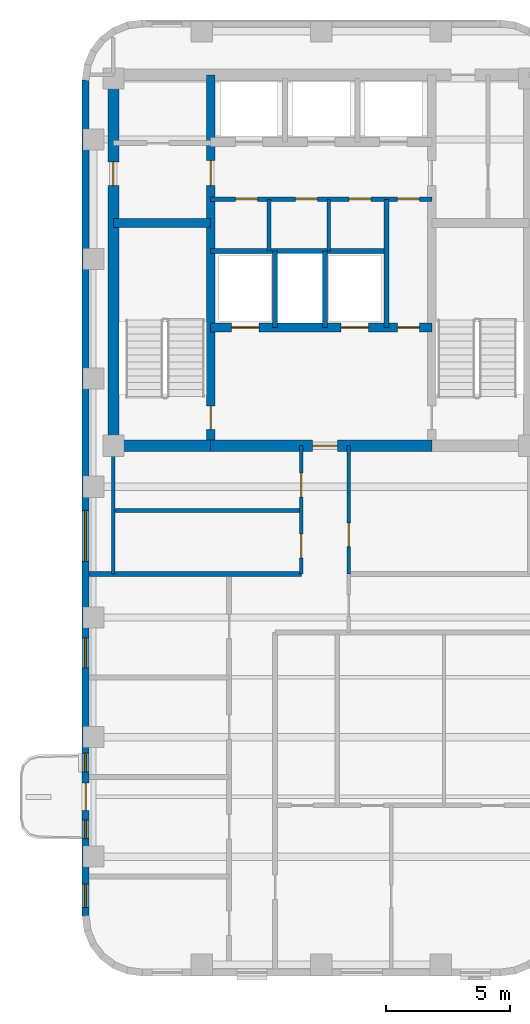
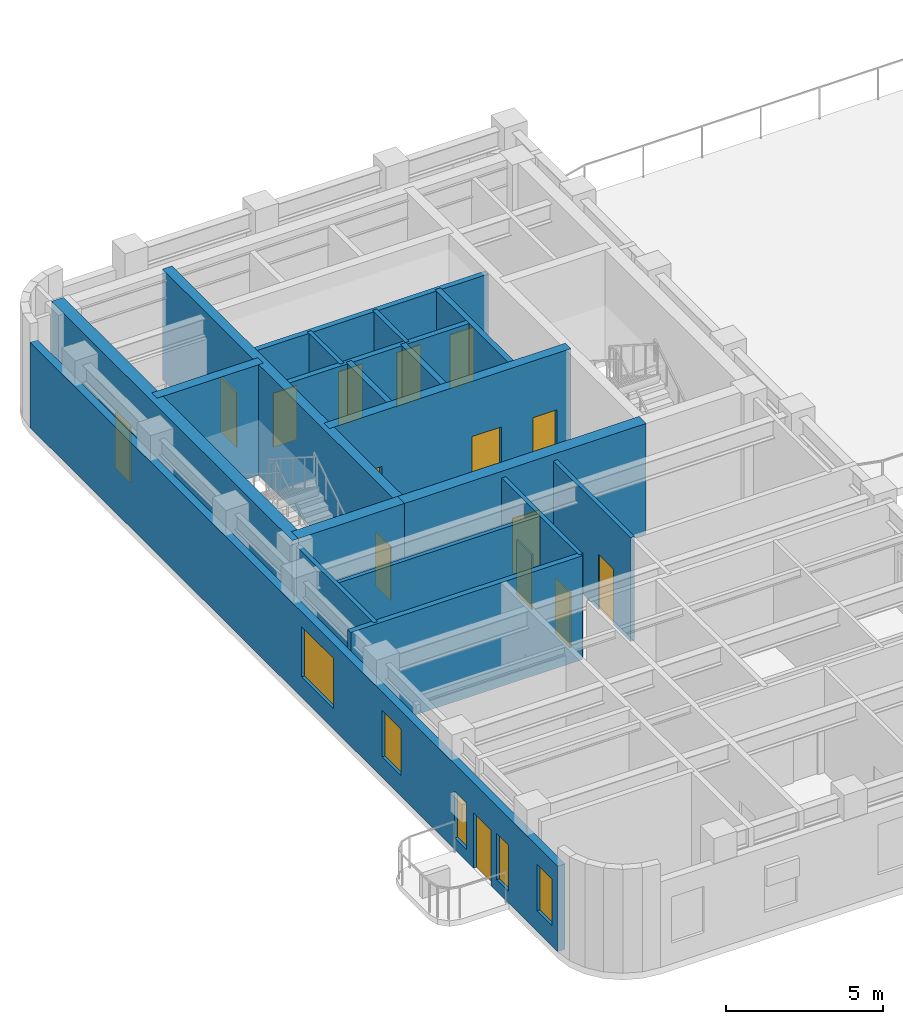
# One storey, part 3 of 7: 19 walls, 15 doors, 5 windows, 20 openings.
"""IFC4 building model written with IfcOpenShell, lengths in metres."""

from ifc_helpers import new_model, si_unit, direction, frame, frame_2d, origin, place, context, subcontext, project, spatial, rectangle, extrude, material, layer, layer_set, type_object, element, fill, save


model = new_model("IFC4")

# Units and contexts
model_context = context("Model", 3, precision=1e-05, world=origin(), true_north=direction((0.0, 1.0)))
body_context = subcontext(model_context, "Body", "Model", "MODEL_VIEW")
ifc_project = project(units=[si_unit("LENGTHUNIT", "METRE"), si_unit("AREAUNIT", "SQUARE_METRE"), si_unit("VOLUMEUNIT", "CUBIC_METRE"), si_unit("PLANEANGLEUNIT", "RADIAN"), si_unit("MASSUNIT", "GRAM", prefix="KILO")], contexts=[model_context])

# Site, building, storey
site_placement = place(None, origin())
site = spatial("IfcSite", under=ifc_project, at=site_placement, CompositionType="ELEMENT")
building_placement = place(site_placement, origin())
building = spatial("IfcBuilding", under=site, at=building_placement, Name="Orvandelia Arch Residences", CompositionType="ELEMENT")
storey_placement = place(building_placement, frame((0.0, 0.0, 239.800048828125)))
storey = spatial("IfcBuildingStorey", under=building, at=storey_placement, Name="L63", CompositionType="ELEMENT", Elevation=239.800048828125)

# Wall, openings, doors
ifc_material_1 = material(Name="Concrete C50/60", Category="concrete")
ifc_layer_1 = layer(ifc_material_1, 0.35009765625, Name="Concrete C50/60", Category="concrete")
ifc_layer_set_1 = layer_set([ifc_layer_1], Name="Concrete C50/60")
wall_type_1 = type_object("IfcWallType", Name="WL-CORE-350", PredefinedType="SHEAR", material=ifc_layer_set_1)
wall_1_placement = place(storey_placement, frame((9.9599609375, 30.89990234375, 0.0), z_axis=(0.0, 0.0, 1.0), x_axis=(0.0, 1.0, 0.0)))
wall_1 = element("IfcWall", 1, at=wall_1_placement, inside=storey, type_object=wall_type_1, Name="Core Shear Wall L63-WEB1", PredefinedType="SHEAR", context=body_context, shape_type="SweptSolid", body=[
    extrude(rectangle(XDim=14.900146484375, YDim=0.35009765625, at=frame_2d((7.4501953125, 0.0))), origin(), (0.0, 0.0, 1.0), 4.300048828125),
])
opening_1_placement = place(wall_1_placement, frame((0.64990234375, 0.0, 0.0)))
opening_1 = element("IfcOpeningElement", 2, at=opening_1_placement, cuts=wall_1, Name="Opening D7", PredefinedType="OPENING", context=body_context, shape_type="SweptSolid", body=[
    extrude(rectangle(XDim=0.949951171875, YDim=2.10009765625, at=frame_2d((0.47509765625, 1.050048828125))), frame((0.0, 0.18505859375, 0.0), z_axis=(0.0, -1.0, 0.0), x_axis=(1.0, 0.0, 0.0)), (0.0, 0.0, 1.0), 0.3701171875),
])
opening_2_placement = place(wall_1_placement, frame((10.449951171875, 0.0, 0.0)))
opening_2 = element("IfcOpeningElement", 3, at=opening_2_placement, cuts=wall_1, Name="Opening D6", PredefinedType="OPENING", context=body_context, shape_type="SweptSolid", body=[
    extrude(rectangle(XDim=1.0, YDim=2.14990234375, at=frame_2d((0.5, 1.074951171875))), frame((0.0, 0.18505859375, 0.0), z_axis=(0.0, -1.0, 0.0), x_axis=(1.0, 0.0, 0.0)), (0.0, 0.0, 1.0), 0.3701171875),
])
ifc_material_2 = material(Name="Smokeproof Painted Steel Fire Door", Category="steel")
door_type_1 = type_object("IfcDoorType", Name="DR-FD60-1000", OperationType="NOTDEFINED", PredefinedType="DOOR", material=ifc_material_2)
door_1_placement = place(opening_2_placement, origin())
door_1 = element("IfcDoor", 4, at=door_1_placement, inside=storey, type_object=door_type_1, Name="High-Rise Lift Hall West Vestibule Door L63", OperationType="SINGLE_SWING_LEFT", OverallHeight=2.14990234375, OverallWidth=1.0, PredefinedType="DOOR", context=body_context, shape_type="SweptSolid", body=[
    extrude(rectangle(XDim=1.0, YDim=2.14990234375, at=frame_2d((0.5, 1.074951171875))), frame((0.0, 0.02490234375, 0.0), z_axis=(0.0, -1.0, 0.0), x_axis=(1.0, 0.0, 0.0)), (0.0, 0.0, 1.0), 0.050048828125),
])
fill(opening_2, door_1)
ifc_material_3 = material(Name="Pressurised Stairwell Fire Door")
door_type_2 = type_object("IfcDoorType", Name="DR-STAIR-950", OperationType="NOTDEFINED", PredefinedType="DOOR", material=ifc_material_3)
door_2_placement = place(opening_1_placement, origin())
door_2 = element("IfcDoor", 5, at=door_2_placement, inside=storey, type_object=door_type_2, Name="Stairwell ST-1 Fire Door L63", OperationType="SINGLE_SWING_LEFT", OverallHeight=2.10009765625, OverallWidth=0.949951171875, PredefinedType="DOOR", context=body_context, shape_type="SweptSolid", body=[
    extrude(rectangle(XDim=0.949951171875, YDim=2.10009765625, at=frame_2d((0.47509765625, 1.050048828125))), frame((0.0, 0.02490234375, 0.0), z_axis=(0.0, -1.0, 0.0), x_axis=(1.0, 0.0, 0.0)), (0.0, 0.0, 1.0), 0.050048828125),
])
fill(opening_1, door_2)

# Wall
wall_2_placement = place(storey_placement, frame((6.050048828125, 39.85009765625, 0.0), z_axis=(0.0, 0.0, 1.0), x_axis=(1.0, 0.0, 0.0)))
element("IfcWall", 6, at=wall_2_placement, inside=storey, type_object=wall_type_1, Name="Core Shear Wall L63-HZ1", PredefinedType="SHEAR", context=body_context, shape_type="SweptSolid", body=[
    extrude(rectangle(XDim=3.909912109375, YDim=0.35009765625, at=frame_2d((1.955078125, 0.0))), origin(), (0.0, 0.0, 1.0), 4.300048828125),
])

# Wall, openings, doors
wall_3_placement = place(storey_placement, frame((9.9599609375, 35.64990234375, 0.0), z_axis=(0.0, 0.0, 1.0), x_axis=(1.0, 0.0, 0.0)))
wall_3 = element("IfcWall", 7, at=wall_3_placement, inside=storey, type_object=wall_type_1, Name="Core Shear Wall L63-HZ3", PredefinedType="SHEAR", context=body_context, shape_type="SweptSolid", body=[
    extrude(rectangle(XDim=8.880126953125, YDim=0.35009765625, at=frame_2d((4.43994140625, 0.0))), origin(), (0.0, 0.0, 1.0), 4.300048828125),
])
opening_3_placement = place(wall_3_placement, frame((0.840087890625, 0.0, 0.0)))
opening_3 = element("IfcOpeningElement", 8, at=opening_3_placement, cuts=wall_3, Name="Opening FLD", PredefinedType="OPENING", context=body_context, shape_type="SweptSolid", body=[
    extrude(rectangle(XDim=1.10009765625, YDim=2.14990234375, at=frame_2d((0.550048828125, 1.074951171875))), frame((0.0, 0.18505859375, 0.0), z_axis=(0.0, -1.0, 0.0), x_axis=(1.0, 0.0, 0.0)), (0.0, 0.0, 1.0), 0.3701171875),
])
opening_4_placement = place(wall_3_placement, frame((5.239990234375, 0.0, 0.0)))
opening_4 = element("IfcOpeningElement", 9, at=opening_4_placement, cuts=wall_3, Name="Opening FLD", PredefinedType="OPENING", context=body_context, shape_type="SweptSolid", body=[
    extrude(rectangle(XDim=1.10009765625, YDim=2.14990234375, at=frame_2d((0.550048828125, 1.074951171875))), frame((0.0, 0.18505859375, 0.0), z_axis=(0.0, -1.0, 0.0), x_axis=(1.0, 0.0, 0.0)), (0.0, 0.0, 1.0), 0.3701171875),
])
opening_5_placement = place(wall_3_placement, frame((7.5, 0.0, 0.0)))
opening_5 = element("IfcOpeningElement", 10, at=opening_5_placement, cuts=wall_3, Name="Opening D5", PredefinedType="OPENING", context=body_context, shape_type="SweptSolid", body=[
    extrude(rectangle(XDim=0.8798828125, YDim=2.10009765625, at=frame_2d((0.43994140625, 1.050048828125))), frame((0.0, 0.18505859375, 0.0), z_axis=(0.0, -1.0, 0.0), x_axis=(1.0, 0.0, 0.0)), (0.0, 0.0, 1.0), 0.3701171875),
])
ifc_material_4 = material(Name="Firefighting Lift Stainless Sliding Door")
door_type_3 = type_object("IfcDoorType", Name="DR-FLFT-1100", OperationType="NOTDEFINED", PredefinedType="DOOR", material=ifc_material_4)
door_3_placement = place(opening_3_placement, origin())
door_3 = element("IfcDoor", 11, at=door_3_placement, inside=storey, type_object=door_type_3, Name="Firefighting Lift Landing Door FLD-FL1-L63", OperationType="SLIDING_TO_LEFT", OverallHeight=2.14990234375, OverallWidth=1.10009765625, PredefinedType="DOOR", context=body_context, shape_type="SweptSolid", body=[
    extrude(rectangle(XDim=1.10009765625, YDim=2.14990234375, at=frame_2d((0.550048828125, 1.074951171875))), frame((0.0, 0.02490234375, 0.0), z_axis=(0.0, -1.0, 0.0), x_axis=(1.0, 0.0, 0.0)), (0.0, 0.0, 1.0), 0.050048828125),
])
fill(opening_3, door_3)
door_4_placement = place(opening_4_placement, origin())
door_4 = element("IfcDoor", 12, at=door_4_placement, inside=storey, type_object=door_type_3, Name="Firefighting Lift Landing Door FLD-FL2-L63", OperationType="SLIDING_TO_RIGHT", OverallHeight=2.14990234375, OverallWidth=1.10009765625, PredefinedType="DOOR", context=body_context, shape_type="SweptSolid", body=[
    extrude(rectangle(XDim=1.10009765625, YDim=2.14990234375, at=frame_2d((0.550048828125, 1.074951171875))), frame((0.0, 0.02490234375, 0.0), z_axis=(0.0, -1.0, 0.0), x_axis=(1.0, 0.0, 0.0)), (0.0, 0.0, 1.0), 0.050048828125),
])
fill(opening_4, door_4)
ifc_material_5 = material(Name="Painted Galvanised Steel Service Door", Category="steel")
door_type_4 = type_object("IfcDoorType", Name="DR-SRV-880", OperationType="NOTDEFINED", PredefinedType="DOOR", material=ifc_material_5)
door_5_placement = place(opening_5_placement, origin())
door_5 = element("IfcDoor", 13, at=door_5_placement, inside=storey, type_object=door_type_4, Name="Core Stairway Passage South Fire Door L63", OperationType="SINGLE_SWING_LEFT", OverallHeight=2.10009765625, OverallWidth=0.8798828125, PredefinedType="DOOR", context=body_context, shape_type="SweptSolid", body=[
    extrude(rectangle(XDim=0.8798828125, YDim=2.10009765625, at=frame_2d((0.43994140625, 1.050048828125))), frame((0.0, 0.02490234375, 0.0), z_axis=(0.0, -1.0, 0.0), x_axis=(1.0, 0.0, 0.0)), (0.0, 0.0, 1.0), 0.050048828125),
])
fill(opening_5, door_5)

# Wall, opening, door
ifc_layer_2 = layer(ifc_material_1, 0.449951171875, Name="Concrete C50/60", Category="concrete")
ifc_layer_set_2 = layer_set([ifc_layer_2], Name="Concrete C50/60")
wall_type_2 = type_object("IfcWallType", Name="WL-CORE-450", PredefinedType="SHEAR", material=ifc_layer_set_2)
wall_4_placement = place(storey_placement, frame((6.050048828125, 30.675048828125, 0.0), z_axis=(0.0, 0.0, 1.0), x_axis=(0.0, 1.0, 0.0)))
wall_4 = element("IfcWall", 14, at=wall_4_placement, inside=storey, type_object=wall_type_2, Name="Core Shear Wall L63-W", PredefinedType="SHEAR", context=body_context, shape_type="SweptSolid", body=[
    extrude(rectangle(XDim=15.349853515625, YDim=0.449951171875, at=frame_2d((7.6748046875, 0.0))), origin(), (0.0, 0.0, 1.0), 4.300048828125),
])
opening_6_placement = place(wall_4_placement, frame((10.675048828125, 0.0, 0.0)))
opening_6 = element("IfcOpeningElement", 15, at=opening_6_placement, cuts=wall_4, Name="Opening D2", PredefinedType="OPENING", context=body_context, shape_type="SweptSolid", body=[
    extrude(rectangle(XDim=0.949951171875, YDim=2.14990234375, at=frame_2d((0.47509765625, 1.074951171875))), frame((0.0, 0.23486328125, 0.0), z_axis=(0.0, -1.0, 0.0), x_axis=(1.0, 0.0, 0.0)), (0.0, 0.0, 1.0), 0.469970703125),
])
ifc_material_6 = material(Name="Solid-Core Timber Interior Fire Door", Category="wood")
door_type_5 = type_object("IfcDoorType", Name="DR-APT-950", OperationType="NOTDEFINED", PredefinedType="DOOR", material=ifc_material_6)
door_6_placement = place(opening_6_placement, origin())
door_6 = element("IfcDoor", 16, at=door_6_placement, inside=storey, type_object=door_type_5, Name="West Viewing Study Door L63", OperationType="SINGLE_SWING_RIGHT", OverallHeight=2.14990234375, OverallWidth=0.949951171875, PredefinedType="DOOR", context=body_context, shape_type="SweptSolid", body=[
    extrude(rectangle(XDim=0.949951171875, YDim=2.14990234375, at=frame_2d((0.47509765625, 1.074951171875))), frame((0.0, 0.02490234375, 0.0), z_axis=(0.0, -1.0, 0.0), x_axis=(1.0, 0.0, 0.0)), (0.0, 0.0, 1.0), 0.050048828125),
])
fill(opening_6, door_6)

# Wall
wall_5_placement = place(storey_placement, frame((6.050048828125, 30.89990234375, 0.0), z_axis=(0.0, 0.0, 1.0), x_axis=(1.0, 0.0, 0.0)))
element("IfcWall", 17, at=wall_5_placement, inside=storey, type_object=wall_type_2, Name="Core Shear Wall L63-SW", PredefinedType="SHEAR", context=body_context, shape_type="SweptSolid", body=[
    extrude(rectangle(XDim=3.909912109375, YDim=0.449951171875, at=frame_2d((1.955078125, 0.0))), origin(), (0.0, 0.0, 1.0), 4.300048828125),
])

# Wall, opening, door
wall_6_placement = place(storey_placement, frame((9.9599609375, 30.89990234375, 0.0), z_axis=(0.0, 0.0, 1.0), x_axis=(1.0, 0.0, 0.0)))
wall_6 = element("IfcWall", 18, at=wall_6_placement, inside=storey, type_object=wall_type_2, Name="Core Shear Wall L63-SM", PredefinedType="SHEAR", context=body_context, shape_type="SweptSolid", body=[
    extrude(rectangle(XDim=8.880126953125, YDim=0.449951171875, at=frame_2d((4.43994140625, 0.0))), origin(), (0.0, 0.0, 1.0), 4.300048828125),
])
opening_7_placement = place(wall_6_placement, frame((4.090087890625, 0.0, 0.0)))
opening_7 = element("IfcOpeningElement", 19, at=opening_7_placement, cuts=wall_6, Name="Opening D6", PredefinedType="OPENING", context=body_context, shape_type="SweptSolid", body=[
    extrude(rectangle(XDim=1.0, YDim=2.14990234375, at=frame_2d((0.5, 1.074951171875))), frame((0.0, 0.23486328125, 0.0), z_axis=(0.0, -1.0, 0.0), x_axis=(1.0, 0.0, 0.0)), (0.0, 0.0, 1.0), 0.469970703125),
])
door_7_placement = place(opening_7_placement, origin())
door_7 = element("IfcDoor", 20, at=door_7_placement, inside=storey, type_object=door_type_1, Name="Firefighting Lobby Smokeproof Door L63", OperationType="SINGLE_SWING_LEFT", OverallHeight=2.14990234375, OverallWidth=1.0, PredefinedType="DOOR", context=body_context, shape_type="SweptSolid", body=[
    extrude(rectangle(XDim=1.0, YDim=2.14990234375, at=frame_2d((0.5, 1.074951171875))), frame((0.0, 0.02490234375, 0.0), z_axis=(0.0, -1.0, 0.0), x_axis=(1.0, 0.0, 0.0)), (0.0, 0.0, 1.0), 0.050048828125),
])
fill(opening_7, door_7)

# Wall
ifc_material_7 = material(Name="Fire-Rated Corridor Partition")
ifc_layer_3 = layer(ifc_material_7, 0.199951171875, Name="Fire-Rated Corridor Partition")
ifc_layer_set_3 = layer_set([ifc_layer_3], Name="Fire-Rated Corridor Partition")
wall_type_3 = type_object("IfcWallType", Name="WL-CORR-200", PredefinedType="PARTITIONING", material=ifc_layer_set_3)
wall_7_placement = place(storey_placement, frame((5.080078125, 25.75, 0.0), z_axis=(0.0, 0.0, 1.0), x_axis=(1.0, 0.0, 0.0)))
element("IfcWall", 21, at=wall_7_placement, inside=storey, type_object=wall_type_3, Name="Interior Partition Wall WL-L63-WLNK-N", PredefinedType="PARTITIONING", context=body_context, shape_type="SweptSolid", body=[
    extrude(rectangle(XDim=8.52001953125, YDim=0.199951171875, at=frame_2d((4.260009765625, 0.0))), origin(), (0.0, 0.0, 1.0), 4.0400390625),
])

# Wall, openings, door, windows
ifc_material_8 = material(Name="Precast concrete C40/50", Category="concrete")
ifc_layer_4 = layer(ifc_material_8, 0.280029296875, Name="Precast concrete C40/50", Category="concrete")
ifc_layer_set_4 = layer_set([ifc_layer_4], Name="Precast concrete C40/50")
wall_type_4 = type_object("IfcWallType", Name="WL-EXT-STONE-280", PredefinedType="STANDARD", material=ifc_layer_set_4)
wall_8_placement = place(storey_placement, frame((4.93994140625, 12.0, 0.0), z_axis=(0.0, 0.0, 1.0), x_axis=(0.0, 1.0, 0.0)))
wall_8 = element("IfcWall", 22, at=wall_8_placement, inside=storey, type_object=wall_type_4, Name="Coral-Limestone Precast Facade Wall L63-028", PredefinedType="STANDARD", context=body_context, shape_type="SweptSolid", body=[
    extrude(rectangle(XDim=33.60009765625, YDim=0.280029296875, at=frame_2d((16.800048828125, 0.0))), origin(), (0.0, 0.0, 1.0), 3.320068359375),
])
opening_8_placement = place(wall_8_placement, frame((4.25, 0.0, 0.0)))
opening_8 = element("IfcOpeningElement", 23, at=opening_8_placement, cuts=wall_8, Name="Opening BD1", PredefinedType="OPENING", context=body_context, shape_type="SweptSolid", body=[
    extrude(rectangle(XDim=1.10009765625, YDim=2.14990234375, at=frame_2d((0.550048828125, 1.074951171875))), frame((0.0, 0.14990234375, 0.0), z_axis=(0.0, -1.0, 0.0), x_axis=(1.0, 0.0, 0.0)), (0.0, 0.0, 1.0), 0.300048828125),
])
opening_9_placement = place(wall_8_placement, frame((0.35498046875, 0.0, 0.800048828125)))
opening_9 = element("IfcOpeningElement", 24, at=opening_9_placement, cuts=wall_8, Name="Opening W4", PredefinedType="OPENING", context=body_context, shape_type="SweptSolid", body=[
    extrude(rectangle(XDim=0.949951171875, YDim=1.800048828125, at=frame_2d((0.47509765625, 0.89990234375))), frame((0.0, 0.14990234375, 0.0), z_axis=(0.0, -1.0, 0.0), x_axis=(1.0, 0.0, 0.0)), (0.0, 0.0, 1.0), 0.300048828125),
])
opening_10_placement = place(wall_8_placement, frame((3.12255859375, 0.0, 0.449951171875)))
opening_10 = element("IfcOpeningElement", 25, at=opening_10_placement, cuts=wall_8, Name="Opening W11", PredefinedType="OPENING", context=body_context, shape_type="SweptSolid", body=[
    extrude(rectangle(XDim=0.75, YDim=1.800048828125, at=frame_2d((0.375, 0.89990234375))), frame((0.0, 0.14990234375, 0.0), z_axis=(0.0, -1.0, 0.0), x_axis=(1.0, 0.0, 0.0)), (0.0, 0.0, 1.0), 0.300048828125),
])
opening_11_placement = place(wall_8_placement, frame((5.802490234375, 0.0, 0.449951171875)))
opening_11 = element("IfcOpeningElement", 26, at=opening_11_placement, cuts=wall_8, Name="Opening W11", PredefinedType="OPENING", context=body_context, shape_type="SweptSolid", body=[
    extrude(rectangle(XDim=0.75, YDim=1.800048828125, at=frame_2d((0.375, 0.89990234375))), frame((0.0, 0.14990234375, 0.0), z_axis=(0.0, -1.0, 0.0), x_axis=(1.0, 0.0, 0.0)), (0.0, 0.0, 1.0), 0.300048828125),
])
opening_12_placement = place(wall_8_placement, frame((9.9775390625, 0.0, 0.800048828125)))
opening_12 = element("IfcOpeningElement", 27, at=opening_12_placement, cuts=wall_8, Name="Opening W3", PredefinedType="OPENING", context=body_context, shape_type="SweptSolid", body=[
    extrude(rectangle(XDim=1.199951171875, YDim=1.800048828125, at=frame_2d((0.60009765625, 0.89990234375))), frame((0.0, 0.14990234375, 0.0), z_axis=(0.0, -1.0, 0.0), x_axis=(1.0, 0.0, 0.0)), (0.0, 0.0, 1.0), 0.300048828125),
])
opening_13_placement = place(wall_8_placement, frame((14.257568359375, 0.0, 0.800048828125)))
opening_13 = element("IfcOpeningElement", 28, at=opening_13_placement, cuts=wall_8, Name="Opening W8", PredefinedType="OPENING", context=body_context, shape_type="SweptSolid", body=[
    extrude(rectangle(XDim=2.050048828125, YDim=1.949951171875, at=frame_2d((1.02490234375, 0.97509765625))), frame((0.0, 0.14990234375, 0.0), z_axis=(0.0, -1.0, 0.0), x_axis=(1.0, 0.0, 0.0)), (0.0, 0.0, 1.0), 0.300048828125),
])
ifc_material_9 = material(Name="Thermally Broken Aluminium Glazed Door", Category="aluminium")
door_type_6 = type_object("IfcDoorType", Name="DR-BAL-GLAZ-1100", OperationType="NOTDEFINED", PredefinedType="DOOR", material=ifc_material_9)
door_8_placement = place(opening_8_placement, origin())
door_8 = element("IfcDoor", 29, at=door_8_placement, inside=storey, type_object=door_type_6, Name="Tree Balcony Glazed Door BAL-L63-W1", OperationType="SINGLE_SWING_RIGHT", OverallHeight=2.14990234375, OverallWidth=1.10009765625, PredefinedType="DOOR", context=body_context, shape_type="SweptSolid", body=[
    extrude(rectangle(XDim=1.10009765625, YDim=2.14990234375, at=frame_2d((0.550048828125, 1.074951171875))), frame((0.0, 0.02490234375, 0.0), z_axis=(0.0, -1.0, 0.0), x_axis=(1.0, 0.0, 0.0)), (0.0, 0.0, 1.0), 0.050048828125),
])
fill(opening_8, door_8)
ifc_material_10 = material(Name="Tempered Low-E Insulated Glazing", Category="glass")
window_type_1 = type_object("IfcWindowType", Name="WIN-BED-0750x1800", PartitioningType="SINGLE_PANEL", PredefinedType="WINDOW", material=ifc_material_10)
window_1_placement = place(opening_10_placement, origin())
window_1 = element("IfcWindow", 30, at=window_1_placement, inside=storey, type_object=window_type_1, Name="Recessed Punched Window L63-011", OverallHeight=1.800048828125, OverallWidth=0.75, PartitioningType="SINGLE_PANEL", PredefinedType="WINDOW", context=body_context, shape_type="SweptSolid", body=[
    extrude(rectangle(XDim=0.75, YDim=1.800048828125, at=frame_2d((0.375, 0.89990234375))), frame((0.0, 0.030029296875, 0.0), z_axis=(0.0, -1.0, 0.0), x_axis=(1.0, 0.0, 0.0)), (0.0, 0.0, 1.0), 0.06005859375),
])
fill(opening_10, window_1)
window_2_placement = place(opening_11_placement, origin())
window_2 = element("IfcWindow", 31, at=window_2_placement, inside=storey, type_object=window_type_1, Name="Recessed Punched Window L63-012", OverallHeight=1.800048828125, OverallWidth=0.75, PartitioningType="SINGLE_PANEL", PredefinedType="WINDOW", context=body_context, shape_type="SweptSolid", body=[
    extrude(rectangle(XDim=0.75, YDim=1.800048828125, at=frame_2d((0.375, 0.89990234375))), frame((0.0, 0.030029296875, 0.0), z_axis=(0.0, -1.0, 0.0), x_axis=(1.0, 0.0, 0.0)), (0.0, 0.0, 1.0), 0.06005859375),
])
fill(opening_11, window_2)
window_type_2 = type_object("IfcWindowType", Name="WIN-RES-0950x1800", PartitioningType="SINGLE_PANEL", PredefinedType="WINDOW", material=ifc_material_10)
window_3_placement = place(opening_9_placement, origin())
window_3 = element("IfcWindow", 32, at=window_3_placement, inside=storey, type_object=window_type_2, Name="Recessed Punched Window L63-010", OverallHeight=1.800048828125, OverallWidth=0.949951171875, PartitioningType="SINGLE_PANEL", PredefinedType="WINDOW", context=body_context, shape_type="SweptSolid", body=[
    extrude(rectangle(XDim=0.949951171875, YDim=1.800048828125, at=frame_2d((0.47509765625, 0.89990234375))), frame((0.0, 0.030029296875, 0.0), z_axis=(0.0, -1.0, 0.0), x_axis=(1.0, 0.0, 0.0)), (0.0, 0.0, 1.0), 0.06005859375),
])
fill(opening_9, window_3)
window_type_3 = type_object("IfcWindowType", Name="WIN-RES-1200x1800", PartitioningType="SINGLE_PANEL", PredefinedType="WINDOW", material=ifc_material_10)
window_4_placement = place(opening_12_placement, origin())
window_4 = element("IfcWindow", 33, at=window_4_placement, inside=storey, type_object=window_type_3, Name="Recessed Punched Window L63-013", OverallHeight=1.800048828125, OverallWidth=1.199951171875, PartitioningType="SINGLE_PANEL", PredefinedType="WINDOW", context=body_context, shape_type="SweptSolid", body=[
    extrude(rectangle(XDim=1.199951171875, YDim=1.800048828125, at=frame_2d((0.60009765625, 0.89990234375))), frame((0.0, 0.030029296875, 0.0), z_axis=(0.0, -1.0, 0.0), x_axis=(1.0, 0.0, 0.0)), (0.0, 0.0, 1.0), 0.06005859375),
])
fill(opening_12, window_4)
window_type_4 = type_object("IfcWindowType", Name="WIN-UPP-2050x1950", PartitioningType="SINGLE_PANEL", PredefinedType="WINDOW", material=ifc_material_10)
window_5_placement = place(opening_13_placement, origin())
window_5 = element("IfcWindow", 34, at=window_5_placement, inside=storey, type_object=window_type_4, Name="Recessed Punched Window L63-014", OverallHeight=1.949951171875, OverallWidth=2.050048828125, PartitioningType="SINGLE_PANEL", PredefinedType="WINDOW", context=body_context, shape_type="SweptSolid", body=[
    extrude(rectangle(XDim=2.050048828125, YDim=1.949951171875, at=frame_2d((1.02490234375, 0.97509765625))), frame((0.0, 0.030029296875, 0.0), z_axis=(0.0, -1.0, 0.0), x_axis=(1.0, 0.0, 0.0)), (0.0, 0.0, 1.0), 0.06005859375),
])
fill(opening_13, window_5)

# Walls
ifc_material_11 = material(Name="Acoustic Gypsum Stud Partition")
ifc_layer_5 = layer(ifc_material_11, 0.14990234375, Name="Acoustic Gypsum Stud Partition")
ifc_layer_set_5 = layer_set([ifc_layer_5], Name="Acoustic Gypsum Stud Partition")
wall_type_5 = type_object("IfcWallType", Name="WL-PART-150", PredefinedType="PARTITIONING", material=ifc_layer_set_5)
for number, where, z_axis, x_axis, name in (
    (35, (12.300048828125, 38.719970703125, 0.0), (0.0, 0.0, 1.0), (0.0, 1.0, 0.0), "Interior Partition Wall WL-L63-CSA-1"),
    (36, (14.699951171875, 38.719970703125, 0.0), (0.0, 0.0, 1.0), (0.0, 1.0, 0.0), "Interior Partition Wall WL-L63-CSA-2"),
):
    element("IfcWall", number, at=place(storey_placement, frame(where, z_axis=z_axis, x_axis=x_axis)), inside=storey, type_object=wall_type_5, Name=name, PredefinedType="PARTITIONING", context=body_context, shape_type="SweptSolid", body=[
        extrude(rectangle(XDim=2.080078125, YDim=0.14990234375, at=frame_2d((1.0400390625, 0.0))), origin(), (0.0, 0.0, 1.0), 4.0400390625),
    ])

# Wall, openings, doors
wall_9_placement = place(storey_placement, frame((13.60009765625, 25.75, 0.0), z_axis=(0.0, 0.0, 1.0), x_axis=(0.0, 1.0, 0.0)))
wall_9 = element("IfcWall", 37, at=wall_9_placement, inside=storey, type_object=wall_type_5, Name="Interior Partition Wall WL-L63-HI-W1", PredefinedType="PARTITIONING", context=body_context, shape_type="SweptSolid", body=[
    extrude(rectangle(XDim=5.14990234375, YDim=0.14990234375, at=frame_2d((2.574951171875, 0.0))), origin(), (0.0, 0.0, 1.0), 4.0400390625),
])
opening_14_placement = place(wall_9_placement, frame((0.64990234375, 0.0, 0.0)))
opening_14 = element("IfcOpeningElement", 38, at=opening_14_placement, cuts=wall_9, Name="Opening D2", PredefinedType="OPENING", context=body_context, shape_type="SweptSolid", body=[
    extrude(rectangle(XDim=0.949951171875, YDim=2.14990234375, at=frame_2d((0.47509765625, 1.074951171875))), frame((0.0, 0.0849609375, 0.0), z_axis=(0.0, -1.0, 0.0), x_axis=(1.0, 0.0, 0.0)), (0.0, 0.0, 1.0), 0.169921875),
])
opening_15_placement = place(wall_9_placement, frame((3.10009765625, 0.0, 0.0)))
opening_15 = element("IfcOpeningElement", 39, at=opening_15_placement, cuts=wall_9, Name="Opening D2", PredefinedType="OPENING", context=body_context, shape_type="SweptSolid", body=[
    extrude(rectangle(XDim=0.949951171875, YDim=2.14990234375, at=frame_2d((0.47509765625, 1.074951171875))), frame((0.0, 0.0849609375, 0.0), z_axis=(0.0, -1.0, 0.0), x_axis=(1.0, 0.0, 0.0)), (0.0, 0.0, 1.0), 0.169921875),
])
door_9_placement = place(opening_14_placement, origin())
door_9 = element("IfcDoor", 40, at=door_9_placement, inside=storey, type_object=door_type_5, Name="DR-L63-HIR1S", OperationType="SINGLE_SWING_LEFT", OverallHeight=2.14990234375, OverallWidth=0.949951171875, PredefinedType="DOOR", context=body_context, shape_type="SweptSolid", body=[
    extrude(rectangle(XDim=0.949951171875, YDim=2.14990234375, at=frame_2d((0.47509765625, 1.074951171875))), frame((0.0, 0.02490234375, 0.0), z_axis=(0.0, -1.0, 0.0), x_axis=(1.0, 0.0, 0.0)), (0.0, 0.0, 1.0), 0.050048828125),
])
fill(opening_14, door_9)
door_10_placement = place(opening_15_placement, origin())
door_10 = element("IfcDoor", 41, at=door_10_placement, inside=storey, type_object=door_type_5, Name="DR-L63-HIR1N", OperationType="SINGLE_SWING_RIGHT", OverallHeight=2.14990234375, OverallWidth=0.949951171875, PredefinedType="DOOR", context=body_context, shape_type="SweptSolid", body=[
    extrude(rectangle(XDim=0.949951171875, YDim=2.14990234375, at=frame_2d((0.47509765625, 1.074951171875))), frame((0.0, 0.02490234375, 0.0), z_axis=(0.0, -1.0, 0.0), x_axis=(1.0, 0.0, 0.0)), (0.0, 0.0, 1.0), 0.050048828125),
])
fill(opening_15, door_10)

# Wall, opening, door
wall_10_placement = place(storey_placement, frame((15.5, 25.75, 0.0), z_axis=(0.0, 0.0, 1.0), x_axis=(0.0, 1.0, 0.0)))
wall_10 = element("IfcWall", 42, at=wall_10_placement, inside=storey, type_object=wall_type_5, Name="Interior Partition Wall WL-L63-HI-W2", PredefinedType="PARTITIONING", context=body_context, shape_type="SweptSolid", body=[
    extrude(rectangle(XDim=5.14990234375, YDim=0.14990234375, at=frame_2d((2.574951171875, 0.0))), origin(), (0.0, 0.0, 1.0), 4.0400390625),
])
opening_16_placement = place(wall_10_placement, frame((1.10009765625, 0.0, 0.0)))
opening_16 = element("IfcOpeningElement", 43, at=opening_16_placement, cuts=wall_10, Name="Opening D2", PredefinedType="OPENING", context=body_context, shape_type="SweptSolid", body=[
    extrude(rectangle(XDim=0.949951171875, YDim=2.14990234375, at=frame_2d((0.47509765625, 1.074951171875))), frame((0.0, 0.0849609375, 0.0), z_axis=(0.0, -1.0, 0.0), x_axis=(1.0, 0.0, 0.0)), (0.0, 0.0, 1.0), 0.169921875),
])
door_11_placement = place(opening_16_placement, origin())
door_11 = element("IfcDoor", 44, at=door_11_placement, inside=storey, type_object=door_type_5, Name="DR-L63-HIR2", OperationType="SINGLE_SWING_RIGHT", OverallHeight=2.14990234375, OverallWidth=0.949951171875, PredefinedType="DOOR", context=body_context, shape_type="SweptSolid", body=[
    extrude(rectangle(XDim=0.949951171875, YDim=2.14990234375, at=frame_2d((0.47509765625, 1.074951171875))), frame((0.0, 0.02490234375, 0.0), z_axis=(0.0, -1.0, 0.0), x_axis=(1.0, 0.0, 0.0)), (0.0, 0.0, 1.0), 0.050048828125),
])
fill(opening_16, door_11)

# Walls
wall_11_placement = place(storey_placement, frame((6.050048828125, 25.75, 0.0), z_axis=(0.0, 0.0, 1.0), x_axis=(0.0, 1.0, 0.0)))
element("IfcWall", 45, at=wall_11_placement, inside=storey, type_object=wall_type_5, Name="Interior Partition Wall WL-L63-HI-WW", PredefinedType="PARTITIONING", context=body_context, shape_type="SweptSolid", body=[
    extrude(rectangle(XDim=5.14990234375, YDim=0.14990234375, at=frame_2d((2.574951171875, 0.0))), origin(), (0.0, 0.0, 1.0), 4.0400390625),
])
wall_12_placement = place(storey_placement, frame((6.050048828125, 28.300048828125, 0.0), z_axis=(0.0, 0.0, 1.0), x_axis=(1.0, 0.0, 0.0)))
element("IfcWall", 46, at=wall_12_placement, inside=storey, type_object=wall_type_5, Name="Interior Partition Wall WL-L63-HIR-H1", PredefinedType="PARTITIONING", context=body_context, shape_type="SweptSolid", body=[
    extrude(rectangle(XDim=7.550048828125, YDim=0.14990234375, at=frame_2d((3.77490234375, 0.0))), origin(), (0.0, 0.0, 1.0), 4.0400390625),
])
ifc_material_12 = material(Name="Fire-Rated Shaft Enclosure Wall")
ifc_layer_6 = layer(ifc_material_12, 0.199951171875, Name="Fire-Rated Shaft Enclosure Wall")
ifc_layer_set_6 = layer_set([ifc_layer_6], Name="Fire-Rated Shaft Enclosure Wall")
wall_type_6 = type_object("IfcWallType", Name="WL-SHAFT-200", PredefinedType="POLYGONAL", material=ifc_layer_set_6)
wall_13_placement = place(storey_placement, frame((9.9599609375, 38.719970703125, 0.0), z_axis=(0.0, 0.0, 1.0), x_axis=(1.0, 0.0, 0.0)))
element("IfcWall", 47, at=wall_13_placement, inside=storey, type_object=wall_type_6, Name="Interior Partition Wall WL-L63-FLN", PredefinedType="POLYGONAL", context=body_context, shape_type="SweptSolid", body=[
    extrude(rectangle(XDim=7.06005859375, YDim=0.199951171875, at=frame_2d((3.530029296875, 0.0))), origin(), (0.0, 0.0, 1.0), 4.0400390625),
])
for number, where, z_axis, x_axis, name in (
    (48, (12.550048828125, 35.64990234375, 0.0), (0.0, 0.0, 1.0), (0.0, 1.0, 0.0), "Interior Partition Wall WL-L63-FLM1"),
    (49, (14.550048828125, 35.64990234375, 0.0), (0.0, 0.0, 1.0), (0.0, 1.0, 0.0), "Interior Partition Wall WL-L63-FLM2"),
):
    element("IfcWall", number, at=place(storey_placement, frame(where, z_axis=z_axis, x_axis=x_axis)), inside=storey, type_object=wall_type_6, Name=name, PredefinedType="POLYGONAL", context=body_context, shape_type="SweptSolid", body=[
        extrude(rectangle(XDim=3.070068359375, YDim=0.199951171875, at=frame_2d((1.53515625, 0.0))), origin(), (0.0, 0.0, 1.0), 4.0400390625),
    ])
wall_14_placement = place(storey_placement, frame((17.02001953125, 35.64990234375, 0.0), z_axis=(0.0, 0.0, 1.0), x_axis=(0.0, 1.0, 0.0)))
element("IfcWall", 50, at=wall_14_placement, inside=storey, type_object=wall_type_6, Name="Interior Partition Wall WL-L63-FLM3", PredefinedType="POLYGONAL", context=body_context, shape_type="SweptSolid", body=[
    extrude(rectangle(XDim=5.150146484375, YDim=0.199951171875, at=frame_2d((2.5751953125, 0.0))), origin(), (0.0, 0.0, 1.0), 4.0400390625),
])

# Wall, openings, doors
wall_15_placement = place(storey_placement, frame((9.9599609375, 40.800048828125, 0.0), z_axis=(0.0, 0.0, 1.0), x_axis=(1.0, 0.0, 0.0)))
wall_15 = element("IfcWall", 51, at=wall_15_placement, inside=storey, type_object=wall_type_6, Name="Interior Partition Wall WL-L63-HLH-S", PredefinedType="POLYGONAL", context=body_context, shape_type="SweptSolid", body=[
    extrude(rectangle(XDim=8.880126953125, YDim=0.199951171875, at=frame_2d((4.43994140625, 0.0))), origin(), (0.0, 0.0, 1.0), 4.0400390625),
])
opening_17_placement = place(wall_15_placement, frame((7.5, 0.0, 0.0)))
opening_17 = element("IfcOpeningElement", 52, at=opening_17_placement, cuts=wall_15, Name="Opening D5", PredefinedType="OPENING", context=body_context, shape_type="SweptSolid", body=[
    extrude(rectangle(XDim=0.8798828125, YDim=2.10009765625, at=frame_2d((0.43994140625, 1.050048828125))), frame((0.0, 0.10986328125, 0.0), z_axis=(0.0, -1.0, 0.0), x_axis=(1.0, 0.0, 0.0)), (0.0, 0.0, 1.0), 0.219970703125),
])
opening_18_placement = place(wall_15_placement, frame((1.0, 0.0, 0.0)))
opening_18 = element("IfcOpeningElement", 53, at=opening_18_placement, cuts=wall_15, Name="Opening D5", PredefinedType="OPENING", context=body_context, shape_type="SweptSolid", body=[
    extrude(rectangle(XDim=0.8798828125, YDim=2.10009765625, at=frame_2d((0.43994140625, 1.050048828125))), frame((0.0, 0.10986328125, 0.0), z_axis=(0.0, -1.0, 0.0), x_axis=(1.0, 0.0, 0.0)), (0.0, 0.0, 1.0), 0.219970703125),
])
opening_19_placement = place(wall_15_placement, frame((3.39990234375, 0.0, 0.0)))
opening_19 = element("IfcOpeningElement", 54, at=opening_19_placement, cuts=wall_15, Name="Opening D5", PredefinedType="OPENING", context=body_context, shape_type="SweptSolid", body=[
    extrude(rectangle(XDim=0.8798828125, YDim=2.10009765625, at=frame_2d((0.43994140625, 1.050048828125))), frame((0.0, 0.10986328125, 0.0), z_axis=(0.0, -1.0, 0.0), x_axis=(1.0, 0.0, 0.0)), (0.0, 0.0, 1.0), 0.219970703125),
])
opening_20_placement = place(wall_15_placement, frame((5.550048828125, 0.0, 0.0)))
opening_20 = element("IfcOpeningElement", 55, at=opening_20_placement, cuts=wall_15, Name="Opening D5", PredefinedType="OPENING", context=body_context, shape_type="SweptSolid", body=[
    extrude(rectangle(XDim=0.8798828125, YDim=2.10009765625, at=frame_2d((0.43994140625, 1.050048828125))), frame((0.0, 0.10986328125, 0.0), z_axis=(0.0, -1.0, 0.0), x_axis=(1.0, 0.0, 0.0)), (0.0, 0.0, 1.0), 0.219970703125),
])
door_12_placement = place(opening_17_placement, origin())
door_12 = element("IfcDoor", 56, at=door_12_placement, inside=storey, type_object=door_type_4, Name="Core Stairway Passage North Fire Door L63", OperationType="SINGLE_SWING_RIGHT", OverallHeight=2.10009765625, OverallWidth=0.8798828125, PredefinedType="DOOR", context=body_context, shape_type="SweptSolid", body=[
    extrude(rectangle(XDim=0.8798828125, YDim=2.10009765625, at=frame_2d((0.43994140625, 1.050048828125))), frame((0.0, 0.02490234375, 0.0), z_axis=(0.0, -1.0, 0.0), x_axis=(1.0, 0.0, 0.0)), (0.0, 0.0, 1.0), 0.050048828125),
])
fill(opening_17, door_12)
door_13_placement = place(opening_18_placement, origin())
door_13 = element("IfcDoor", 57, at=door_13_placement, inside=storey, type_object=door_type_4, Name="DR-L63-CSA1", OperationType="SINGLE_SWING_LEFT", OverallHeight=2.10009765625, OverallWidth=0.8798828125, PredefinedType="DOOR", context=body_context, shape_type="SweptSolid", body=[
    extrude(rectangle(XDim=0.8798828125, YDim=2.10009765625, at=frame_2d((0.43994140625, 1.050048828125))), frame((0.0, 0.02490234375, 0.0), z_axis=(0.0, -1.0, 0.0), x_axis=(1.0, 0.0, 0.0)), (0.0, 0.0, 1.0), 0.050048828125),
])
fill(opening_18, door_13)
door_14_placement = place(opening_19_placement, origin())
door_14 = element("IfcDoor", 58, at=door_14_placement, inside=storey, type_object=door_type_4, Name="DR-L63-CSA2", OperationType="SINGLE_SWING_RIGHT", OverallHeight=2.10009765625, OverallWidth=0.8798828125, PredefinedType="DOOR", context=body_context, shape_type="SweptSolid", body=[
    extrude(rectangle(XDim=0.8798828125, YDim=2.10009765625, at=frame_2d((0.43994140625, 1.050048828125))), frame((0.0, 0.02490234375, 0.0), z_axis=(0.0, -1.0, 0.0), x_axis=(1.0, 0.0, 0.0)), (0.0, 0.0, 1.0), 0.050048828125),
])
fill(opening_19, door_14)
door_15_placement = place(opening_20_placement, origin())
door_15 = element("IfcDoor", 59, at=door_15_placement, inside=storey, type_object=door_type_4, Name="DR-L63-CSA3", OperationType="SINGLE_SWING_LEFT", OverallHeight=2.10009765625, OverallWidth=0.8798828125, PredefinedType="DOOR", context=body_context, shape_type="SweptSolid", body=[
    extrude(rectangle(XDim=0.8798828125, YDim=2.10009765625, at=frame_2d((0.43994140625, 1.050048828125))), frame((0.0, 0.02490234375, 0.0), z_axis=(0.0, -1.0, 0.0), x_axis=(1.0, 0.0, 0.0)), (0.0, 0.0, 1.0), 0.050048828125),
])
fill(opening_20, door_15)

save(model, "model.ifc")
